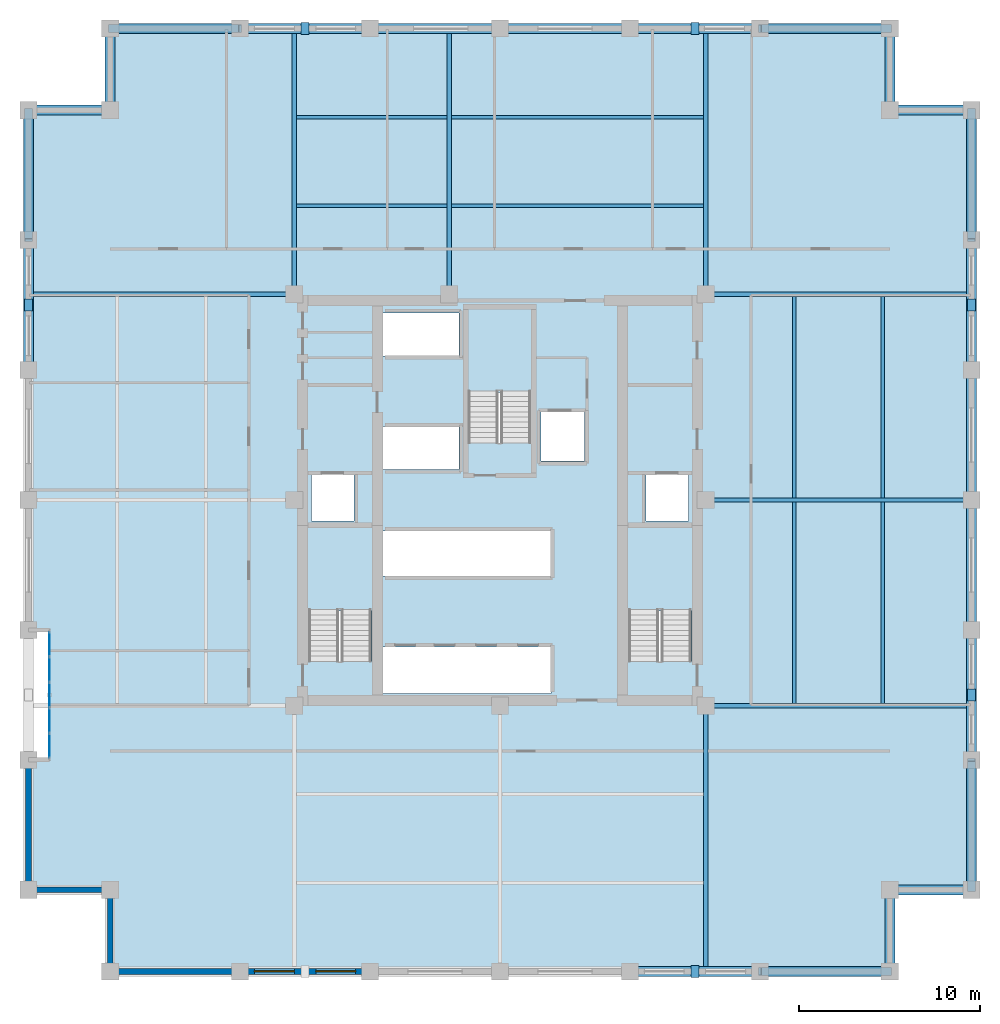
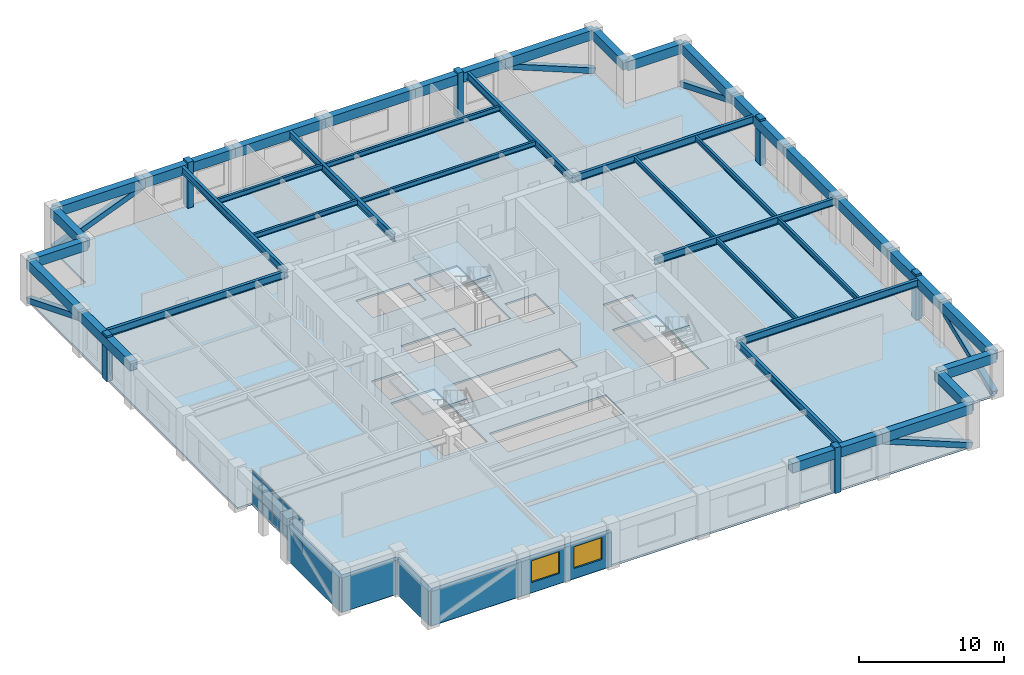
# One storey, part 5 of 11: 38 beams, 12 members, 10 plates, 5 walls, 4 slabs, 2 windows, 2 openings, 4 elements without a shape of their own.
"""IFC4 building model written with IfcOpenShell, lengths in metres."""

from ifc_helpers import new_model, si_unit, direction, frame, frame_2d, origin, origin_2d, place, context, subcontext, project, spatial, polyline, rectangle, hollow_rectangle, i_section, outline, extrude, material, layer, layer_set, material_profile, profile_set, type_object, element, fill, aggregate, save


model = new_model("IFC4")

# Units and contexts
model_context = context("Model", 3, precision=1e-05, world=origin(), true_north=direction((0.0, 1.0)))
body_context = subcontext(model_context, "Body", "Model", "MODEL_VIEW")
ifc_project = project(units=[si_unit("LENGTHUNIT", "METRE"), si_unit("AREAUNIT", "SQUARE_METRE"), si_unit("VOLUMEUNIT", "CUBIC_METRE"), si_unit("PLANEANGLEUNIT", "RADIAN"), si_unit("MASSUNIT", "GRAM", prefix="KILO")], contexts=[model_context])

# Site, building, storey
site_placement = place(None, origin())
site = spatial("IfcSite", under=ifc_project, at=site_placement, CompositionType="ELEMENT")
building_placement = place(site_placement, origin())
building = spatial("IfcBuilding", under=site, at=building_placement, Name="Nhamokura Convention Tower", CompositionType="ELEMENT")
storey_placement = place(building_placement, frame((0.0, 0.0, 168.35009765625)))
storey = spatial("IfcBuildingStorey", under=building, at=storey_placement, Name="L41", CompositionType="ELEMENT", Elevation=168.35009765625)

# Members
ifc_material_1 = material(Name="Bronze-pigmented precast concrete C45/55", Category="concrete")
ifc_material_profile_1 = material_profile(ifc_material_1, rectangle(XDim=0.449951171875, YDim=0.64990234375, at=origin_2d()))
ifc_profile_set_1 = profile_set([ifc_material_profile_1], Name="Bronze-pigmented precast concrete C45/55")
member_type_1 = type_object("IfcMemberType", Name="BronzePilaster_650", PredefinedType="USERDEFINED", material=ifc_profile_set_1)
for number, where, z_axis, x_axis, name in (
    (1, (42.75, 6.0, 0.0), (0.0, 0.0, 1.0), (1.0, 0.0, 0.0), "L41 Engaged Frame Pilaster SOUTH 4"),
    (2, (21.25, 58.0, 0.0), (0.0, 0.0, 1.0), (1.0, 0.0, 0.0), "L41 Engaged Frame Pilaster NORTH 1"),
    (3, (42.75, 58.0, 0.0), (0.0, 0.0, 1.0), (1.0, 0.0, 0.0), "L41 Engaged Frame Pilaster NORTH 4"),
    (4, (6.0, 42.75, 0.0), (0.0, 0.0, 1.0), (1.0, 0.0, 0.0), "L41 Engaged Frame Pilaster WEST 4"),
    (5, (58.0, 21.25, 0.0), (0.0, 0.0, 1.0), (1.0, 0.0, 0.0), "L41 Engaged Frame Pilaster EAST 1"),
    (6, (58.0, 42.75, 0.0), (0.0, 0.0, 1.0), (1.0, 0.0, 0.0), "L41 Engaged Frame Pilaster EAST 4"),
):
    element("IfcMember", number, at=place(storey_placement, frame(where, z_axis=z_axis, x_axis=x_axis)), inside=storey, type_object=member_type_1, Name=name, ObjectType="PILASTER_TRIM", PredefinedType="USERDEFINED", context=body_context, shape_type="SweptSolid", body=[
        extrude(rectangle(XDim=0.449951171875, YDim=0.64990234375, at=origin_2d()), origin(), (0.0, 0.0, 1.0), 3.849853515625),
    ])

# Beams
ifc_material_2 = material(Name="Steel ASTM A992 Gr 50", Category="steel")
ifc_material_profile_2 = material_profile(ifc_material_2, i_section(OverallWidth=0.177001953125, OverallDepth=0.403076171875, WebThickness=0.007568359375, FlangeThickness=0.010986328125, at=origin_2d()))
ifc_profile_set_2 = profile_set([ifc_material_profile_2], Name="Steel ASTM A992 Gr 50")
beam_type_1 = type_object("IfcBeamType", Name="FloorJoist_W410X53", PredefinedType="JOIST", material=ifc_profile_set_2)
beam_1_placement = place(storey_placement, frame((20.761962890625, 48.2333984375, 3.4833984375), z_axis=(1.0, 0.0, 0.0), x_axis=(0.0, 1.0, 0.0)))
element("IfcBeam", 7, at=beam_1_placement, inside=storey, type_object=beam_type_1, Name="L41 Composite Floor Joist N1A", PredefinedType="JOIST", context=body_context, shape_type="SweptSolid", body=[
    extrude(i_section(OverallWidth=0.177001953125, OverallDepth=0.403076171875, WebThickness=0.007568359375, FlangeThickness=0.010986328125, at=origin_2d()), origin(), (0.0, 0.0, 1.0), 8.325927734375),
])
beam_2_placement = place(storey_placement, frame((29.31201171875, 48.2333984375, 3.4833984375), z_axis=(1.0, 0.0, 0.0), x_axis=(0.0, 1.0, 0.0)))
element("IfcBeam", 8, at=beam_2_placement, inside=storey, type_object=beam_type_1, Name="L41 Composite Floor Joist N1B", PredefinedType="JOIST", context=body_context, shape_type="SweptSolid", body=[
    extrude(i_section(OverallWidth=0.177001953125, OverallDepth=0.403076171875, WebThickness=0.007568359375, FlangeThickness=0.010986328125, at=origin_2d()), origin(), (0.0, 0.0, 1.0), 13.926025390625),
])
beam_3_placement = place(storey_placement, frame((20.761962890625, 53.11669921875, 3.4833984375), z_axis=(1.0, 0.0, 0.0), x_axis=(0.0, 1.0, 0.0)))
element("IfcBeam", 9, at=beam_3_placement, inside=storey, type_object=beam_type_1, Name="L41 Composite Floor Joist N2A", PredefinedType="JOIST", context=body_context, shape_type="SweptSolid", body=[
    extrude(i_section(OverallWidth=0.177001953125, OverallDepth=0.403076171875, WebThickness=0.007568359375, FlangeThickness=0.010986328125, at=origin_2d()), origin(), (0.0, 0.0, 1.0), 8.325927734375),
])
beam_4_placement = place(storey_placement, frame((29.31201171875, 53.11669921875, 3.4833984375), z_axis=(1.0, 0.0, 0.0), x_axis=(0.0, 1.0, 0.0)))
element("IfcBeam", 10, at=beam_4_placement, inside=storey, type_object=beam_type_1, Name="L41 Composite Floor Joist N2B", PredefinedType="JOIST", context=body_context, shape_type="SweptSolid", body=[
    extrude(i_section(OverallWidth=0.177001953125, OverallDepth=0.403076171875, WebThickness=0.007568359375, FlangeThickness=0.010986328125, at=origin_2d()), origin(), (0.0, 0.0, 1.0), 13.926025390625),
])
for number, where, z_axis, x_axis, name in (
    (11, (48.2333984375, 20.761962890625, 3.4833984375), (0.0, 1.0, 0.0), (-1.0, 0.0, 0.0), "L41 Composite Floor Joist E1A"),
    (12, (48.2333984375, 32.112060546875, 3.4833984375), (0.0, 1.0, 0.0), (-1.0, 0.0, 0.0), "L41 Composite Floor Joist E1B"),
    (13, (53.11669921875, 20.761962890625, 3.4833984375), (0.0, 1.0, 0.0), (-1.0, 0.0, 0.0), "L41 Composite Floor Joist E2A"),
    (14, (53.11669921875, 32.112060546875, 3.4833984375), (0.0, 1.0, 0.0), (-1.0, 0.0, 0.0), "L41 Composite Floor Joist E2B"),
):
    element("IfcBeam", number, at=place(storey_placement, frame(where, z_axis=z_axis, x_axis=x_axis)), inside=storey, type_object=beam_type_1, Name=name, PredefinedType="JOIST", context=body_context, shape_type="SweptSolid", body=[
        extrude(i_section(OverallWidth=0.177001953125, OverallDepth=0.403076171875, WebThickness=0.007568359375, FlangeThickness=0.010986328125, at=origin_2d()), origin(), (0.0, 0.0, 1.0), 11.1259765625),
    ])
ifc_material_3 = material(Name="Steel ASTM A992 Gr 50", Category="steel")
ifc_material_profile_3 = material_profile(ifc_material_3, i_section(OverallWidth=0.22802734375, OverallDepth=0.60791015625, WebThickness=0.01123046875, FlangeThickness=0.017333984375, at=origin_2d()))
ifc_profile_set_3 = profile_set([ifc_material_profile_3], Name="Steel ASTM A992 Gr 50")
beam_type_2 = type_object("IfcBeamType", Name="PrimaryGirder_W610X113", PredefinedType="BEAM", material=ifc_profile_set_3)
for number, where, z_axis, x_axis, name in (
    (15, (43.35009765625, 6.0, 3.380859375), (0.0, 1.0, 0.0), (-1.0, 0.0, 0.0), "L41 Primary Floor Girder PG-S3"),
    (16, (20.64990234375, 43.35009765625, 3.380859375), (0.0, 1.0, 0.0), (-1.0, 0.0, 0.0), "L41 Primary Floor Girder PG-N1"),
    (17, (29.199951171875, 43.35009765625, 3.380859375), (0.0, 1.0, 0.0), (-1.0, 0.0, 0.0), "L41 Primary Floor Girder PG-N2"),
    (18, (43.35009765625, 43.35009765625, 3.380859375), (0.0, 1.0, 0.0), (-1.0, 0.0, 0.0), "L41 Primary Floor Girder PG-N3"),
    (19, (6.0, 43.35009765625, 3.380859375), (1.0, 0.0, 0.0), (0.0, 1.0, 0.0), "L41 Primary Floor Girder PG-W3"),
    (20, (43.35009765625, 20.64990234375, 3.380859375), (1.0, 0.0, 0.0), (0.0, 1.0, 0.0), "L41 Primary Floor Girder PG-E1"),
    (21, (43.35009765625, 32.0, 3.380859375), (1.0, 0.0, 0.0), (0.0, 1.0, 0.0), "L41 Primary Floor Girder PG-E2"),
    (22, (43.35009765625, 43.35009765625, 3.380859375), (1.0, 0.0, 0.0), (0.0, 1.0, 0.0), "L41 Primary Floor Girder PG-E3"),
):
    element("IfcBeam", number, at=place(storey_placement, frame(where, z_axis=z_axis, x_axis=x_axis)), inside=storey, type_object=beam_type_2, Name=name, PredefinedType="BEAM", context=body_context, shape_type="SweptSolid", body=[
        extrude(i_section(OverallWidth=0.22802734375, OverallDepth=0.60791015625, WebThickness=0.01123046875, FlangeThickness=0.017333984375, at=origin_2d()), origin(), (0.0, 0.0, 1.0), 14.64990234375),
    ])

# Members
ifc_material_4 = material(Name="Steel ASTM A572 Gr 50", Category="steel")
ifc_material_profile_4 = material_profile(ifc_material_4, hollow_rectangle(XDim=0.449951171875, YDim=0.449951171875, WallThickness=0.02197265625, at=origin_2d()))
ifc_profile_set_4 = profile_set([ifc_material_profile_4], Name="Steel ASTM A572 Gr 50")
member_type_2 = type_object("IfcMemberType", Name="TubeBrace_HSS450", PredefinedType="BRACE", material=ifc_profile_set_4)
for number, where, z_axis, x_axis, name in (
    (23, (53.5, 6.0, 0.14990234375), (-0.927657166893, 0.0, 0.373432966826), (0.0, -1.0, 0.0), "L41 Perimeter Tube Brace SOUTH Bay 5"),
    (24, (10.5, 58.0, 0.14990234375), (0.927657166893, 0.0, 0.373432966826), (0.0, 1.0, 0.0), "L41 Perimeter Tube Brace NORTH Bay 0"),
    (25, (53.5, 58.0, 0.14990234375), (-0.927657166893, 0.0, 0.373432966826), (0.0, -1.0, 0.0), "L41 Perimeter Tube Brace NORTH Bay 5"),
    (26, (6.0, 53.5, 0.14990234375), (0.0, -0.927657166893, 0.373432966826), (1.0, 0.0, 0.0), "L41 Perimeter Tube Brace WEST Bay 5"),
    (27, (58.0, 10.5, 0.14990234375), (0.0, 0.927657166893, 0.373432966826), (-1.0, 0.0, 0.0), "L41 Perimeter Tube Brace EAST Bay 0"),
    (28, (58.0, 53.5, 0.14990234375), (0.0, -0.927657166893, 0.373432966826), (1.0, 0.0, 0.0), "L41 Perimeter Tube Brace EAST Bay 5"),
):
    element("IfcMember", number, at=place(storey_placement, frame(where, z_axis=z_axis, x_axis=x_axis)), inside=storey, type_object=member_type_2, Name=name, PredefinedType="BRACE", context=body_context, shape_type="SweptSolid", body=[
        extrude(hollow_rectangle(XDim=0.449951171875, YDim=0.449951171875, WallThickness=0.02197265625, at=origin_2d()), origin(), (0.0, 0.0, 1.0), 7.7255859375),
    ])

# Beams
ifc_material_5 = material(Name="Concrete C50/60", Category="concrete")
ifc_material_profile_5 = material_profile(ifc_material_5, rectangle(XDim=0.550048828125, YDim=0.800048828125, at=origin_2d()))
ifc_profile_set_5 = profile_set([ifc_material_profile_5], Name="Concrete C50/60")
beam_type_3 = type_object("IfcBeamType", Name="TubeSpandrel_800", PredefinedType="SPANDREL", material=ifc_profile_set_5)
beam_5_placement = place(storey_placement, frame((39.166748046875, 6.0, 3.284912109375), z_axis=(1.0, 0.0, 0.0), x_axis=(0.0, 1.0, 0.0)))
element("IfcBeam", 29, at=beam_5_placement, inside=storey, type_object=beam_type_3, Name="L41 Perimeter Spandrel SOUTH 5", PredefinedType="SPANDREL", context=body_context, shape_type="SweptSolid", body=[
    extrude(rectangle(XDim=0.550048828125, YDim=0.800048828125, at=origin_2d()), origin(), (0.0, 0.0, 1.0), 7.16650390625),
])
for number, where, z_axis, x_axis, name in (
    (30, (46.333251953125, 6.0, 3.284912109375), (1.0, 0.0, 0.0), (0.0, 1.0, 0.0), "L41 Perimeter Spandrel SOUTH 6"),
    (31, (10.5, 58.0, 3.284912109375), (1.0, 0.0, 0.0), (0.0, 1.0, 0.0), "L41 Perimeter Spandrel NORTH 1"),
):
    element("IfcBeam", number, at=place(storey_placement, frame(where, z_axis=z_axis, x_axis=x_axis)), inside=storey, type_object=beam_type_3, Name=name, PredefinedType="SPANDREL", context=body_context, shape_type="SweptSolid", body=[
        extrude(rectangle(XDim=0.550048828125, YDim=0.800048828125, at=origin_2d()), origin(), (0.0, 0.0, 1.0), 7.166748046875),
    ])
beam_6_placement = place(storey_placement, frame((17.666748046875, 58.0, 3.284912109375), z_axis=(1.0, 0.0, 0.0), x_axis=(0.0, 1.0, 0.0)))
element("IfcBeam", 32, at=beam_6_placement, inside=storey, type_object=beam_type_3, Name="L41 Perimeter Spandrel NORTH 2", PredefinedType="SPANDREL", context=body_context, shape_type="SweptSolid", body=[
    extrude(rectangle(XDim=0.550048828125, YDim=0.800048828125, at=origin_2d()), origin(), (0.0, 0.0, 1.0), 7.16650390625),
])
for number, where, z_axis, x_axis, name in (
    (33, (24.833251953125, 58.0, 3.284912109375), (1.0, 0.0, 0.0), (0.0, 1.0, 0.0), "L41 Perimeter Spandrel NORTH 3"),
    (34, (32.0, 58.0, 3.284912109375), (1.0, 0.0, 0.0), (0.0, 1.0, 0.0), "L41 Perimeter Spandrel NORTH 4"),
):
    element("IfcBeam", number, at=place(storey_placement, frame(where, z_axis=z_axis, x_axis=x_axis)), inside=storey, type_object=beam_type_3, Name=name, PredefinedType="SPANDREL", context=body_context, shape_type="SweptSolid", body=[
        extrude(rectangle(XDim=0.550048828125, YDim=0.800048828125, at=origin_2d()), origin(), (0.0, 0.0, 1.0), 7.166748046875),
    ])
beam_7_placement = place(storey_placement, frame((39.166748046875, 58.0, 3.284912109375), z_axis=(1.0, 0.0, 0.0), x_axis=(0.0, 1.0, 0.0)))
element("IfcBeam", 35, at=beam_7_placement, inside=storey, type_object=beam_type_3, Name="L41 Perimeter Spandrel NORTH 5", PredefinedType="SPANDREL", context=body_context, shape_type="SweptSolid", body=[
    extrude(rectangle(XDim=0.550048828125, YDim=0.800048828125, at=origin_2d()), origin(), (0.0, 0.0, 1.0), 7.16650390625),
])
beam_8_placement = place(storey_placement, frame((46.333251953125, 58.0, 3.284912109375), z_axis=(1.0, 0.0, 0.0), x_axis=(0.0, 1.0, 0.0)))
element("IfcBeam", 36, at=beam_8_placement, inside=storey, type_object=beam_type_3, Name="L41 Perimeter Spandrel NORTH 6", PredefinedType="SPANDREL", context=body_context, shape_type="SweptSolid", body=[
    extrude(rectangle(XDim=0.550048828125, YDim=0.800048828125, at=origin_2d()), origin(), (0.0, 0.0, 1.0), 7.166748046875),
])
beam_9_placement = place(storey_placement, frame((6.0, 39.166748046875, 3.284912109375), z_axis=(0.0, 1.0, 0.0), x_axis=(-1.0, 0.0, 0.0)))
element("IfcBeam", 37, at=beam_9_placement, inside=storey, type_object=beam_type_3, Name="L41 Perimeter Spandrel WEST 5", PredefinedType="SPANDREL", context=body_context, shape_type="SweptSolid", body=[
    extrude(rectangle(XDim=0.550048828125, YDim=0.800048828125, at=origin_2d()), origin(), (0.0, 0.0, 1.0), 7.16650390625),
])
for number, where, z_axis, x_axis, name in (
    (38, (6.0, 46.333251953125, 3.284912109375), (0.0, 1.0, 0.0), (-1.0, 0.0, 0.0), "L41 Perimeter Spandrel WEST 6"),
    (39, (58.0, 10.5, 3.284912109375), (0.0, 1.0, 0.0), (-1.0, 0.0, 0.0), "L41 Perimeter Spandrel EAST 1"),
):
    element("IfcBeam", number, at=place(storey_placement, frame(where, z_axis=z_axis, x_axis=x_axis)), inside=storey, type_object=beam_type_3, Name=name, PredefinedType="SPANDREL", context=body_context, shape_type="SweptSolid", body=[
        extrude(rectangle(XDim=0.550048828125, YDim=0.800048828125, at=origin_2d()), origin(), (0.0, 0.0, 1.0), 7.166748046875),
    ])
beam_10_placement = place(storey_placement, frame((58.0, 17.666748046875, 3.284912109375), z_axis=(0.0, 1.0, 0.0), x_axis=(-1.0, 0.0, 0.0)))
element("IfcBeam", 40, at=beam_10_placement, inside=storey, type_object=beam_type_3, Name="L41 Perimeter Spandrel EAST 2", PredefinedType="SPANDREL", context=body_context, shape_type="SweptSolid", body=[
    extrude(rectangle(XDim=0.550048828125, YDim=0.800048828125, at=origin_2d()), origin(), (0.0, 0.0, 1.0), 7.16650390625),
])
for number, where, z_axis, x_axis, name in (
    (41, (58.0, 24.833251953125, 3.284912109375), (0.0, 1.0, 0.0), (-1.0, 0.0, 0.0), "L41 Perimeter Spandrel EAST 3"),
    (42, (58.0, 32.0, 3.284912109375), (0.0, 1.0, 0.0), (-1.0, 0.0, 0.0), "L41 Perimeter Spandrel EAST 4"),
):
    element("IfcBeam", number, at=place(storey_placement, frame(where, z_axis=z_axis, x_axis=x_axis)), inside=storey, type_object=beam_type_3, Name=name, PredefinedType="SPANDREL", context=body_context, shape_type="SweptSolid", body=[
        extrude(rectangle(XDim=0.550048828125, YDim=0.800048828125, at=origin_2d()), origin(), (0.0, 0.0, 1.0), 7.166748046875),
    ])
beam_11_placement = place(storey_placement, frame((58.0, 39.166748046875, 3.284912109375), z_axis=(0.0, 1.0, 0.0), x_axis=(-1.0, 0.0, 0.0)))
element("IfcBeam", 43, at=beam_11_placement, inside=storey, type_object=beam_type_3, Name="L41 Perimeter Spandrel EAST 5", PredefinedType="SPANDREL", context=body_context, shape_type="SweptSolid", body=[
    extrude(rectangle(XDim=0.550048828125, YDim=0.800048828125, at=origin_2d()), origin(), (0.0, 0.0, 1.0), 7.16650390625),
])
beam_12_placement = place(storey_placement, frame((58.0, 46.333251953125, 3.284912109375), z_axis=(0.0, 1.0, 0.0), x_axis=(-1.0, 0.0, 0.0)))
element("IfcBeam", 44, at=beam_12_placement, inside=storey, type_object=beam_type_3, Name="L41 Perimeter Spandrel EAST 6", PredefinedType="SPANDREL", context=body_context, shape_type="SweptSolid", body=[
    extrude(rectangle(XDim=0.550048828125, YDim=0.800048828125, at=origin_2d()), origin(), (0.0, 0.0, 1.0), 7.166748046875),
])
for number, where, z_axis, x_axis, name in (
    (45, (53.5, 6.0, 3.284912109375), (0.0, 1.0, 0.0), (-1.0, 0.0, 0.0), "L41 Notch Spandrel SE1"),
    (46, (53.5, 10.5, 3.284912109375), (1.0, 0.0, 0.0), (0.0, 1.0, 0.0), "L41 Notch Spandrel SE2"),
    (47, (58.0, 53.5, 3.284912109375), (-1.0, 0.0, 0.0), (0.0, -1.0, 0.0), "L41 Notch Spandrel NE1"),
    (48, (53.5, 53.5, 3.284912109375), (0.0, 1.0, 0.0), (-1.0, 0.0, 0.0), "L41 Notch Spandrel NE2"),
    (49, (10.5, 58.0, 3.284912109375), (0.0, -1.0, 0.0), (1.0, 0.0, 0.0), "L41 Notch Spandrel NW1"),
    (50, (10.5, 53.5, 3.284912109375), (-1.0, 0.0, 0.0), (0.0, -1.0, 0.0), "L41 Notch Spandrel NW2"),
):
    element("IfcBeam", number, at=place(storey_placement, frame(where, z_axis=z_axis, x_axis=x_axis)), inside=storey, type_object=beam_type_3, Name=name, PredefinedType="SPANDREL", context=body_context, shape_type="SweptSolid", body=[
        extrude(rectangle(XDim=0.550048828125, YDim=0.800048828125, at=origin_2d()), origin(), (0.0, 0.0, 1.0), 4.5),
    ])

# Curtain wall, plates
ifc_material_6 = material(Name="Anodised bronze aluminium AA6063-T6", Category="aluminium")
ifc_layer_1 = layer(ifc_material_6, 0.159912109375)
ifc_layer_set_1 = layer_set([ifc_layer_1], Name="CWSystem_ScaleSlot_Zone2")
curtain_wall_type = type_object("IfcCurtainWallType", Name="CWSystem_ScaleSlot_Zone2", PredefinedType="NOTDEFINED", material=ifc_layer_set_1)
curtain_wall_placement = place(storey_placement, origin())
curtain_wall = element("IfcCurtainWall", 51, at=curtain_wall_placement, inside=storey, type_object=curtain_wall_type, Name="L41 Curtain Wall ENV-L41-SLOT-W1", PredefinedType="NOTDEFINED")
ifc_material_7 = material(Name="Solar-control bronze low-E double glass", Category="glass")
ifc_layer_2 = layer(ifc_material_7, 0.035888671875)
ifc_layer_set_2 = layer_set([ifc_layer_2], Name="CWGlazedPanel_2")
plate_type = type_object("IfcPlateType", Name="CWGlazedPanel_2", PredefinedType="CURTAIN_PANEL", material=ifc_layer_set_2)
plate_1_placement = place(storey_placement, frame((7.14990234375, 18.447509765625, 0.06494140625), z_axis=(0.0, 0.0, 1.0), x_axis=(0.0, 1.0, 0.0)))
plate_1 = element("IfcPlate", 52, at=plate_1_placement, type_object=plate_type, Name="CW-04 panel 1.1", PredefinedType="CURTAIN_PANEL", context=body_context, shape_type="SweptSolid", body=[
    extrude(rectangle(XDim=1.311767578125, YDim=0.035888671875, at=origin_2d()), origin(), (0.0, 0.0, 1.0), 0.8525390625),
])
plate_2_placement = place(storey_placement, frame((7.14990234375, 18.447509765625, 0.982421875), z_axis=(0.0, 0.0, 1.0), x_axis=(0.0, 1.0, 0.0)))
plate_2 = element("IfcPlate", 53, at=plate_2_placement, type_object=plate_type, Name="CW-04 panel 1.2", PredefinedType="CURTAIN_PANEL", context=body_context, shape_type="SweptSolid", body=[
    extrude(rectangle(XDim=1.311767578125, YDim=0.035888671875, at=origin_2d()), origin(), (0.0, 0.0, 1.0), 1.83740234375),
])
plate_3_placement = place(storey_placement, frame((7.14990234375, 19.840576171875, 0.06494140625), z_axis=(0.0, 0.0, 1.0), x_axis=(0.0, 1.0, 0.0)))
plate_3 = element("IfcPlate", 54, at=plate_3_placement, type_object=plate_type, Name="CW-04 panel 2.1", PredefinedType="CURTAIN_PANEL", context=body_context, shape_type="SweptSolid", body=[
    extrude(rectangle(XDim=1.34423828125, YDim=0.035888671875, at=origin_2d()), origin(), (0.0, 0.0, 1.0), 0.8525390625),
])
plate_4_placement = place(storey_placement, frame((7.14990234375, 19.840576171875, 0.982421875), z_axis=(0.0, 0.0, 1.0), x_axis=(0.0, 1.0, 0.0)))
plate_4 = element("IfcPlate", 55, at=plate_4_placement, type_object=plate_type, Name="CW-04 panel 2.2", PredefinedType="CURTAIN_PANEL", context=body_context, shape_type="SweptSolid", body=[
    extrude(rectangle(XDim=1.34423828125, YDim=0.035888671875, at=origin_2d()), origin(), (0.0, 0.0, 1.0), 1.83740234375),
])
plate_5_placement = place(storey_placement, frame((7.14990234375, 21.25, 0.06494140625), z_axis=(0.0, 0.0, 1.0), x_axis=(0.0, 1.0, 0.0)))
plate_5 = element("IfcPlate", 56, at=plate_5_placement, type_object=plate_type, Name="CW-04 panel 3.1", PredefinedType="CURTAIN_PANEL", context=body_context, shape_type="SweptSolid", body=[
    extrude(rectangle(XDim=1.34423828125, YDim=0.035888671875, at=origin_2d()), origin(), (0.0, 0.0, 1.0), 0.8525390625),
])
plate_6_placement = place(storey_placement, frame((7.14990234375, 21.25, 0.982421875), z_axis=(0.0, 0.0, 1.0), x_axis=(0.0, 1.0, 0.0)))
plate_6 = element("IfcPlate", 57, at=plate_6_placement, type_object=plate_type, Name="CW-04 panel 3.2", PredefinedType="CURTAIN_PANEL", context=body_context, shape_type="SweptSolid", body=[
    extrude(rectangle(XDim=1.34423828125, YDim=0.035888671875, at=origin_2d()), origin(), (0.0, 0.0, 1.0), 1.83740234375),
])
plate_7_placement = place(storey_placement, frame((7.14990234375, 22.659423828125, 0.06494140625), z_axis=(0.0, 0.0, 1.0), x_axis=(0.0, 1.0, 0.0)))
plate_7 = element("IfcPlate", 58, at=plate_7_placement, type_object=plate_type, Name="CW-04 panel 4.1", PredefinedType="CURTAIN_PANEL", context=body_context, shape_type="SweptSolid", body=[
    extrude(rectangle(XDim=1.34423828125, YDim=0.035888671875, at=origin_2d()), origin(), (0.0, 0.0, 1.0), 0.8525390625),
])
plate_8_placement = place(storey_placement, frame((7.14990234375, 22.659423828125, 0.982421875), z_axis=(0.0, 0.0, 1.0), x_axis=(0.0, 1.0, 0.0)))
plate_8 = element("IfcPlate", 59, at=plate_8_placement, type_object=plate_type, Name="CW-04 panel 4.2", PredefinedType="CURTAIN_PANEL", context=body_context, shape_type="SweptSolid", body=[
    extrude(rectangle(XDim=1.34423828125, YDim=0.035888671875, at=origin_2d()), origin(), (0.0, 0.0, 1.0), 1.83740234375),
])
plate_9_placement = place(storey_placement, frame((7.14990234375, 24.052490234375, 0.06494140625), z_axis=(0.0, 0.0, 1.0), x_axis=(0.0, 1.0, 0.0)))
plate_9 = element("IfcPlate", 60, at=plate_9_placement, type_object=plate_type, Name="CW-04 panel 5.1", PredefinedType="CURTAIN_PANEL", context=body_context, shape_type="SweptSolid", body=[
    extrude(rectangle(XDim=1.311767578125, YDim=0.035888671875, at=origin_2d()), origin(), (0.0, 0.0, 1.0), 0.8525390625),
])
plate_10_placement = place(storey_placement, frame((7.14990234375, 24.052490234375, 0.982421875), z_axis=(0.0, 0.0, 1.0), x_axis=(0.0, 1.0, 0.0)))
plate_10 = element("IfcPlate", 61, at=plate_10_placement, type_object=plate_type, Name="CW-04 panel 5.2", PredefinedType="CURTAIN_PANEL", context=body_context, shape_type="SweptSolid", body=[
    extrude(rectangle(XDim=1.311767578125, YDim=0.035888671875, at=origin_2d()), origin(), (0.0, 0.0, 1.0), 1.83740234375),
])
aggregate(curtain_wall, [plate_1, plate_2, plate_3, plate_4, plate_5, plate_6, plate_7, plate_8, plate_9, plate_10])

# Slab
ifc_material_8 = material(Name="Concrete C40/50", Category="concrete")
ifc_layer_3 = layer(ifc_material_8, 0.1650390625)
ifc_layer_set_3 = layer_set([ifc_layer_3], Name="OfficeFloorSlab_165")
slab_type_1 = type_object("IfcSlabType", Name="OfficeFloorSlab_165", PredefinedType="FLOOR", material=ifc_layer_set_3)
slab_1_placement = place(storey_placement, frame((0.0, 0.0, -0.1650390625)))
element("IfcSlab", 62, at=slab_1_placement, inside=storey, type_object=slab_type_1, Name="L41 Structural Floor Slab", PredefinedType="FLOOR", context=body_context, shape_type="SweptSolid", body=[
    extrude(outline(polyline([(10.5, 6.0), (53.5, 6.0), (53.5, 10.5), (58.0, 10.5), (58.0, 53.5), (53.5, 53.5), (53.5, 58.0), (10.5, 58.0), (10.5, 53.5), (6.0, 53.5), (6.0, 24.833251953125), (7.14990234375, 24.833251953125), (7.14990234375, 17.666748046875), (6.0, 17.666748046875), (6.0, 10.5), (10.5, 10.5), (10.5, 6.0)]), holes=[polyline([(24.89990234375, 23.10009765625), (24.89990234375, 30.449951171875), (21.449951171875, 30.449951171875), (21.449951171875, 23.10009765625), (24.89990234375, 23.10009765625)]), polyline([(42.550048828125, 23.10009765625), (42.550048828125, 30.449951171875), (39.10009765625, 30.449951171875), (39.10009765625, 23.10009765625), (42.550048828125, 23.10009765625)]), polyline([(33.699951171875, 35.14990234375), (33.699951171875, 42.5), (30.25, 42.5), (30.25, 35.14990234375), (33.699951171875, 35.14990234375)]), polyline([(21.60009765625, 30.85009765625), (23.949951171875, 30.85009765625), (23.949951171875, 33.39990234375), (21.60009765625, 33.39990234375), (21.60009765625, 30.85009765625)]), polyline([(40.050048828125, 30.85009765625), (42.39990234375, 30.85009765625), (42.39990234375, 33.39990234375), (40.050048828125, 33.39990234375), (40.050048828125, 30.85009765625)]), polyline([(34.25, 34.14990234375), (36.64990234375, 34.14990234375), (36.64990234375, 36.85009765625), (34.25, 36.85009765625), (34.25, 34.14990234375)]), polyline([(25.52001953125, 21.320068359375), (34.800048828125, 21.320068359375), (34.800048828125, 23.89990234375), (25.52001953125, 23.89990234375), (25.52001953125, 21.320068359375)]), polyline([(25.52001953125, 27.800048828125), (34.800048828125, 27.800048828125), (34.800048828125, 30.300048828125), (25.52001953125, 30.300048828125), (25.52001953125, 27.800048828125)]), polyline([(25.52001953125, 33.679931640625), (29.75, 33.679931640625), (29.75, 36.050048828125), (25.52001953125, 36.050048828125), (25.52001953125, 33.679931640625)]), polyline([(25.52001953125, 39.949951171875), (29.75, 39.949951171875), (29.75, 42.320068359375), (25.52001953125, 42.320068359375), (25.52001953125, 39.949951171875)])]), origin(), (0.0, 0.0, 1.0), 0.1650390625),
])

# Stair, slab
ifc_material_9 = material(Name="Concrete C40/50", Category="concrete")
stair_type = type_object("IfcStairType", Name="TowerCoreStair_1650", PredefinedType="HALF_TURN_STAIR", material=ifc_material_9)
stair_1_placement = place(storey_placement, origin())
stair_1 = element("IfcStair", 63, at=stair_1_placement, inside=storey, type_object=stair_type, Name="L41 West Core Smokeproof Stair ST-01", PredefinedType="HALF_TURN_STAIR")
ifc_material_10 = material(Name="Concrete C40/50", Category="concrete")
ifc_layer_4 = layer(ifc_material_10, 0.199951171875)
ifc_layer_set_4 = layer_set([ifc_layer_4], Name="StairLandingSlab_200")
slab_type_2 = type_object("IfcSlabType", Name="StairLandingSlab_200", PredefinedType="LANDING", material=ifc_layer_set_4)
slab_2_placement = place(storey_placement, frame((0.0, 0.0, 1.724853515625)))
slab_2 = element("IfcSlab", 64, at=slab_2_placement, type_object=slab_type_2, Name="ST-01 landing 1", PredefinedType="LANDING", context=body_context, shape_type="SweptSolid", body=[
    extrude(outline(polyline([(24.97998046875, 25.8701171875), (24.97998046875, 30.530029296875), (21.3701171875, 30.530029296875), (21.3701171875, 25.8701171875), (24.97998046875, 25.8701171875)])), origin(), (0.0, 0.0, 1.0), 0.199951171875),
])
aggregate(stair_1, [slab_2])

stair_2_placement = place(storey_placement, origin())
stair_2 = element("IfcStair", 65, at=stair_2_placement, inside=storey, type_object=stair_type, Name="L41 East Core Smokeproof Stair ST-02", PredefinedType="HALF_TURN_STAIR")
slab_3_placement = place(storey_placement, frame((0.0, 0.0, 1.724853515625)))
slab_3 = element("IfcSlab", 66, at=slab_3_placement, type_object=slab_type_2, Name="ST-02 landing 1", PredefinedType="LANDING", context=body_context, shape_type="SweptSolid", body=[
    extrude(outline(polyline([(42.6298828125, 25.8701171875), (42.6298828125, 30.530029296875), (39.02001953125, 30.530029296875), (39.02001953125, 25.8701171875), (42.6298828125, 25.8701171875)])), origin(), (0.0, 0.0, 1.0), 0.199951171875),
])
aggregate(stair_2, [slab_3])

stair_3_placement = place(storey_placement, origin())
stair_3 = element("IfcStair", 67, at=stair_3_placement, inside=storey, type_object=stair_type, Name="L41 North Core Smokeproof Stair ST-03", PredefinedType="HALF_TURN_STAIR")
slab_4_placement = place(storey_placement, frame((0.0, 0.0, 1.724853515625)))
slab_4 = element("IfcSlab", 68, at=slab_4_placement, type_object=slab_type_2, Name="ST-03 landing 1", PredefinedType="LANDING", context=body_context, shape_type="SweptSolid", body=[
    extrude(outline(polyline([(33.780029296875, 37.919921875), (33.780029296875, 42.580078125), (30.169921875, 42.580078125), (30.169921875, 37.919921875), (33.780029296875, 37.919921875)])), origin(), (0.0, 0.0, 1.0), 0.199951171875),
])
aggregate(stair_3, [slab_4])

# Wall
ifc_material_11 = material(Name="Bronze-pigmented precast concrete C45/55", Category="concrete")
ifc_layer_5 = layer(ifc_material_11, 0.320068359375)
ifc_layer_set_5 = layer_set([ifc_layer_5], Name="BronzePrecastSpandrel_320")
wall_type = type_object("IfcWallType", Name="BronzePrecastSpandrel_320", PredefinedType="USERDEFINED", material=ifc_layer_set_5)
wall_1_placement = place(storey_placement, frame((17.666748046875, 6.0, 0.0), z_axis=(0.0, 0.0, 1.0), x_axis=(-1.0, 0.0, 0.0)))
element("IfcWall", 69, at=wall_1_placement, inside=storey, type_object=wall_type, Name="L41 Braced-Bay Precast Wall SOUTH 0", ObjectType="SPANDREL_WALL", PredefinedType="USERDEFINED", context=body_context, shape_type="SweptSolid", body=[
    extrude(rectangle(XDim=7.166748046875, YDim=0.320068359375, at=frame_2d((3.58349609375, 0.0))), origin(), (0.0, 0.0, 1.0), 2.885009765625),
])

# Wall, openings, windows
wall_2_placement = place(storey_placement, frame((24.833251953125, 6.0, 0.0), z_axis=(0.0, 0.0, 1.0), x_axis=(-1.0, 0.0, 0.0)))
wall_2 = element("IfcWall", 70, at=wall_2_placement, inside=storey, type_object=wall_type, Name="L41 Masonry-Frame Wall SOUTH 1", ObjectType="SPANDREL_WALL", PredefinedType="USERDEFINED", context=body_context, shape_type="SweptSolid", body=[
    extrude(rectangle(XDim=7.16650390625, YDim=0.320068359375, at=frame_2d((3.583251953125, 0.0))), origin(), (0.0, 0.0, 1.0), 2.885009765625),
])
opening_1_placement = place(wall_2_placement, frame((0.791748046875, 0.0, 0.85009765625)))
opening_1 = element("IfcOpeningElement", 71, at=opening_1_placement, cuts=wall_2, Name="Opening W-06", PredefinedType="OPENING", context=body_context, shape_type="SweptSolid", body=[
    extrude(rectangle(XDim=2.199951171875, YDim=1.8349609375, at=frame_2d((1.10009765625, 0.91748046875))), frame((0.0, 0.169921875, 0.0), z_axis=(0.0, -1.0, 0.0), x_axis=(1.0, 0.0, 0.0)), (0.0, 0.0, 1.0), 0.340087890625),
])
opening_2_placement = place(wall_2_placement, frame((4.175048828125, 0.0, 0.85009765625)))
opening_2 = element("IfcOpeningElement", 72, at=opening_2_placement, cuts=wall_2, Name="Opening W-06", PredefinedType="OPENING", context=body_context, shape_type="SweptSolid", body=[
    extrude(rectangle(XDim=2.199951171875, YDim=1.8349609375, at=frame_2d((1.10009765625, 0.91748046875))), frame((0.0, 0.169921875, 0.0), z_axis=(0.0, -1.0, 0.0), x_axis=(1.0, 0.0, 0.0)), (0.0, 0.0, 1.0), 0.340087890625),
])
ifc_material_12 = material(Name="Solar-control bronze low-E double glass", Category="glass")
window_type = type_object("IfcWindowType", Name="OfficeModuleWindow_Z2_2200", PartitioningType="SINGLE_PANEL", PredefinedType="WINDOW", material=ifc_material_12)
window_1_placement = place(opening_1_placement, origin())
window_1 = element("IfcWindow", 73, at=window_1_placement, inside=storey, type_object=window_type, Name="L41 Facade Window SOUTH 1-1", OverallHeight=1.8349609375, OverallWidth=2.199951171875, PartitioningType="SINGLE_PANEL", PredefinedType="WINDOW", context=body_context, shape_type="SweptSolid", body=[
    extrude(rectangle(XDim=2.199951171875, YDim=1.8349609375, at=frame_2d((1.10009765625, 0.91748046875))), frame((0.0, 0.030029296875, 0.0), z_axis=(0.0, -1.0, 0.0), x_axis=(1.0, 0.0, 0.0)), (0.0, 0.0, 1.0), 0.06005859375),
])
fill(opening_1, window_1)
window_2_placement = place(opening_2_placement, origin())
window_2 = element("IfcWindow", 74, at=window_2_placement, inside=storey, type_object=window_type, Name="L41 Facade Window SOUTH 1-2", OverallHeight=1.8349609375, OverallWidth=2.199951171875, PartitioningType="SINGLE_PANEL", PredefinedType="WINDOW", context=body_context, shape_type="SweptSolid", body=[
    extrude(rectangle(XDim=2.199951171875, YDim=1.8349609375, at=frame_2d((1.10009765625, 0.91748046875))), frame((0.0, 0.030029296875, 0.0), z_axis=(0.0, -1.0, 0.0), x_axis=(1.0, 0.0, 0.0)), (0.0, 0.0, 1.0), 0.06005859375),
])
fill(opening_2, window_2)

# Walls
wall_3_placement = place(storey_placement, frame((6.0, 10.5, 0.0), z_axis=(0.0, 0.0, 1.0), x_axis=(0.0, 1.0, 0.0)))
element("IfcWall", 75, at=wall_3_placement, inside=storey, type_object=wall_type, Name="L41 Braced-Bay Precast Wall WEST 0", ObjectType="SPANDREL_WALL", PredefinedType="USERDEFINED", context=body_context, shape_type="SweptSolid", body=[
    extrude(rectangle(XDim=7.166748046875, YDim=0.320068359375, at=frame_2d((3.58349609375, 0.0))), origin(), (0.0, 0.0, 1.0), 2.885009765625),
])
for number, where, z_axis, x_axis, name in (
    (76, (10.5, 6.0, 0.0), (0.0, 0.0, 1.0), (0.0, 1.0, 0.0), "L41 Notched Corner Wall SW1"),
    (77, (10.5, 10.5, 0.0), (0.0, 0.0, 1.0), (-1.0, 0.0, 0.0), "L41 Notched Corner Wall SW2"),
):
    element("IfcWall", number, at=place(storey_placement, frame(where, z_axis=z_axis, x_axis=x_axis)), inside=storey, type_object=wall_type, Name=name, ObjectType="SPANDREL_WALL", PredefinedType="USERDEFINED", context=body_context, shape_type="SweptSolid", body=[
        extrude(rectangle(XDim=4.5, YDim=0.320068359375, at=frame_2d((2.25, 0.0))), origin(), (0.0, 0.0, 1.0), 2.885009765625),
    ])

save(model, "model.ifc")
